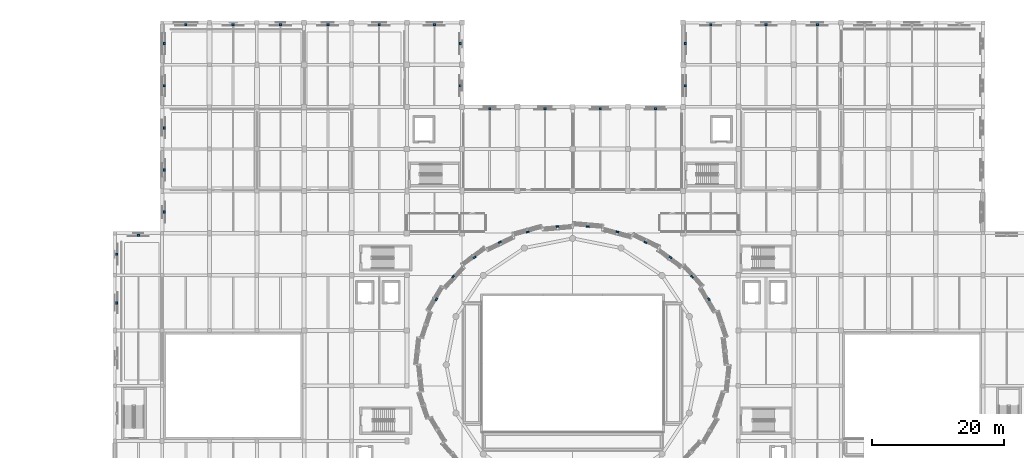
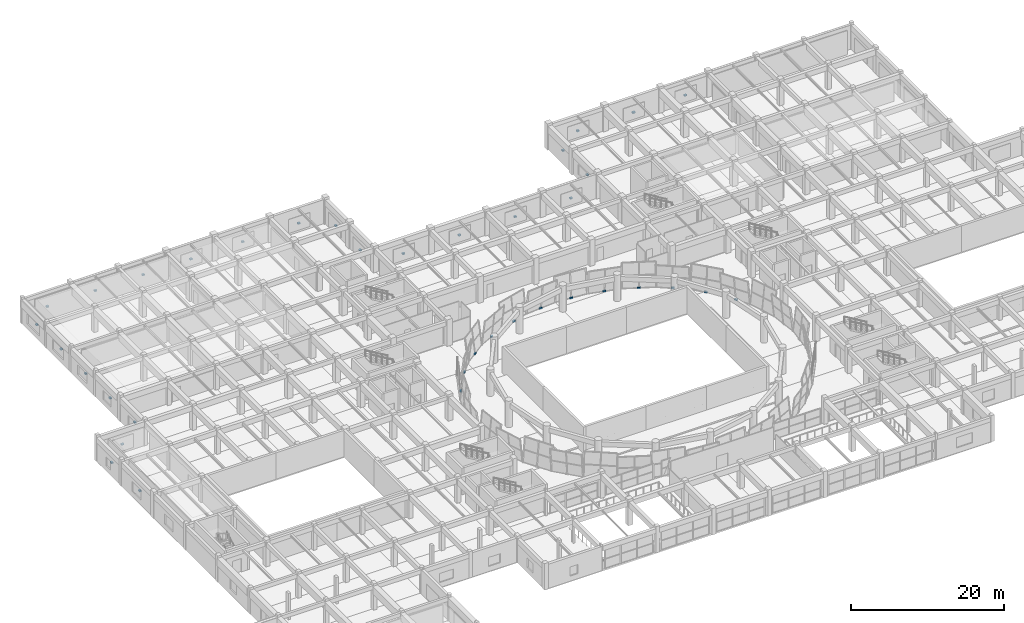
# One storey, part 58 of 71: 37 discrete accessories.
"""IFC4 building model written with IfcOpenShell, lengths in metres."""

import ifcopenshell
import ifcopenshell.guid

model = None  # the IFC model being written
_history = None  # IfcOwnerHistory: only IFC2X3 demands one
_inside = {}  # id of a spatial element -> (the spatial element, [elements in it])
_under = {}  # id of a project, library or spatial element -> (it, [spatial elements below it])
_declared = {}  # id of a project -> (the project, [libraries it declares])
_typed = {}  # id of a type object -> (the type object, [elements of that type])
_made_of = {}  # id of a material, layer set ... -> (it, [elements and type objects made of it])


def new_model(schema):
    """Start an empty IFC model of exactly this schema.

    Asked for "IFC4X3", IfcOpenShell would pick the latest addendum, in which some entities
    have other attributes; the version numbers below select the first issue.
    IFC2X3 requires an IfcOwnerHistory on every rooted entity: one is made here for all.
    """
    global model, _history
    if schema == "IFC4X3":
        model = ifcopenshell.file(schema_version=(4, 3, 0, 0))
    else:
        model = ifcopenshell.file(schema=schema)
    _inside.clear()
    _under.clear()
    _declared.clear()
    _typed.clear()
    _made_of.clear()
    _history = None
    if model.schema == "IFC2X3":
        org = make("IfcOrganization", Name="unknown")
        user = make(
            "IfcPersonAndOrganization",
            ThePerson=make("IfcPerson", FamilyName="unknown"),
            TheOrganization=org,
        )
        app = make(
            "IfcApplication",
            ApplicationDeveloper=org,
            Version="unknown",
            ApplicationFullName="unknown",
            ApplicationIdentifier="unknown",
        )
        _history = make(
            "IfcOwnerHistory",
            OwningUser=user,
            OwningApplication=app,
            ChangeAction="ADDED",
            CreationDate=0,
        )
    return model


def make(cls, **values):
    """One entity of the class cls with the attributes given. An attribute that is None is left unset."""
    return model.create_entity(
        cls, **{name: value for name, value in values.items() if value is not None}
    )


def rooted(cls, **values):
    """An entity with a GlobalId (a new one), such as an element, a storey or a relation."""
    return make(cls, GlobalId=ifcopenshell.guid.new(), OwnerHistory=_history, **values)


def si_unit(unit_type, name, prefix=None):
    """IfcSIUnit, for example si_unit("LENGTHUNIT", "METRE", prefix="MILLI")."""
    return make("IfcSIUnit", UnitType=unit_type, Prefix=prefix, Name=name)


def assignment(units):
    """IfcUnitAssignment: the units of a project."""
    return None if units is None else make("IfcUnitAssignment", Units=units)


def point(xyz):
    """IfcCartesianPoint."""
    return None if xyz is None else make("IfcCartesianPoint", Coordinates=xyz)


def direction(xyz):
    """IfcDirection."""
    return None if xyz is None else make("IfcDirection", DirectionRatios=xyz)


def frame(location, z_axis=None, x_axis=None):
    """IfcAxis2Placement3D, a coordinate frame: its origin and axes. An axis left out is left unset."""
    return make(
        "IfcAxis2Placement3D",
        Location=point(location),
        Axis=direction(z_axis),
        RefDirection=direction(x_axis),
    )


def frame_2d(location, x_axis=None):
    """IfcAxis2Placement2D, a coordinate frame in the plane: its origin and x axis."""
    return make(
        "IfcAxis2Placement2D", Location=point(location), RefDirection=direction(x_axis)
    )


def origin():
    """The frame at (0, 0, 0) with its axes left unset."""
    return frame((0.0, 0.0, 0.0))


def origin_2d():
    """The frame at (0, 0) in the plane with its x axis left unset."""
    return frame_2d((0.0, 0.0))


def place(relative_to, where):
    """IfcLocalPlacement: puts the frame where relative to a parent placement (None: the world)."""
    return make(
        "IfcLocalPlacement", PlacementRelTo=relative_to, RelativePlacement=where
    )


def context(
    kind, dimensions, precision=None, world=None, true_north=None, identifier=None
):
    """IfcGeometricRepresentationContext, for example the 3D "Model" context."""
    return make(
        "IfcGeometricRepresentationContext",
        ContextIdentifier=identifier,
        ContextType=kind,
        CoordinateSpaceDimension=dimensions,
        Precision=precision,
        WorldCoordinateSystem=world,
        TrueNorth=true_north,
    )


def subcontext(parent, identifier, kind, view, scale=None):
    """IfcGeometricRepresentationSubContext, for example "Body" below "Model"."""
    return make(
        "IfcGeometricRepresentationSubContext",
        ContextIdentifier=identifier,
        ContextType=kind,
        ParentContext=parent,
        TargetScale=scale,
        TargetView=view,
    )


def project(units=None, contexts=None):
    """IfcProject with its units and contexts."""
    return rooted(
        "IfcProject",
        Name="project",
        RepresentationContexts=contexts,
        UnitsInContext=assignment(units),
    )


def spatial(cls, under=None, at=None, **own):
    """A site, building, storey or space (cls), placed at a placement, below another one or the project."""
    s = rooted(cls, ObjectPlacement=at, **own)
    if under is not None:
        _under.setdefault(under.id(), (under, []))[1].append(s)
    return s


def profile(cls, at=None, kind="AREA", **sizes):
    """A parametric profile (cls). Its sizes go by their IFC names, for example OverallWidth=200.0."""
    return make(cls, ProfileType=kind, Position=at, **sizes)


def rectangle(**sizes):
    """IfcRectangleProfileDef."""
    return profile("IfcRectangleProfileDef", **sizes)


def extrude(swept, where, along, depth):
    """IfcExtrudedAreaSolid: the profile swept, set in the frame where, extruded along a direction by depth."""
    return make(
        "IfcExtrudedAreaSolid",
        SweptArea=swept,
        Position=where,
        ExtrudedDirection=direction(along),
        Depth=depth,
    )


def shape(context_of_items, identifier, shape_type, items):
    """IfcShapeRepresentation: the items that make up one representation, for example the "Body"."""
    return make(
        "IfcShapeRepresentation",
        ContextOfItems=context_of_items,
        RepresentationIdentifier=identifier,
        RepresentationType=shape_type,
        Items=items,
    )


def material(Name=None, Category=None):
    """IfcMaterial."""
    return make("IfcMaterial", Name=Name, Category=Category)


def made_of(thing, what):
    """Note that an element or type object is made of a material, layer set ...; save() writes the relation."""
    if what is not None:
        _made_of.setdefault(what.id(), (what, []))[1].append(thing)
    return thing


def type_object(cls, material=None, **own):
    """A type object (cls), such as IfcWallType, which elements share."""
    return made_of(rooted(cls, **own), material)


def element(
    cls,
    number,
    at=None,
    inside=None,
    cuts=None,
    type_object=None,
    material=None,
    context=None,
    identifier="Body",
    shape_type=None,
    held_by="IfcProductDefinitionShape",
    body=None,
    shapes=None,
    **own,
):
    """One element of the class cls, such as IfcWall. Its Tag is "e" and its number.

    at: its placement. inside: the storey or other place that contains it. cuts: it is an
    opening in that element (IfcRelVoidsElement). A single representation is given by context,
    identifier, shape_type and body (its items); several are given by shapes. held_by: the class
    of the entity that holds the representations. save() writes the other relations.
    """
    e = rooted(cls, Tag="e%d" % number, ObjectPlacement=at, **own)
    if body is not None:
        shapes = [shape(context, identifier, shape_type, body)]
    if shapes is not None:
        e.Representation = make(held_by, Representations=shapes)
    if inside is not None:
        _inside.setdefault(inside.id(), (inside, []))[1].append(e)
    if cuts is not None:
        rooted(
            "IfcRelVoidsElement", RelatingBuildingElement=cuts, RelatedOpeningElement=e
        )
    if type_object is not None:
        _typed.setdefault(type_object.id(), (type_object, []))[1].append(e)
    return made_of(e, material)


def aggregate(whole, parts):
    """IfcRelAggregates: a whole, such as a stair, and the parts it consists of."""
    return rooted("IfcRelAggregates", RelatingObject=whole, RelatedObjects=parts)


def save(model, path):
    """Write the relations noted so far, then the file.

    IfcRelAggregates (storeys below a building ...), IfcRelContainedInSpatialStructure (elements
    in a storey), IfcRelDefinesByType, IfcRelAssociatesMaterial and IfcRelDeclares: one each for
    every whole, place, type object, material and project.
    """
    for whole, parts in _under.values():
        aggregate(whole, parts)
    for where, things in _inside.values():
        rooted(
            "IfcRelContainedInSpatialStructure",
            RelatedElements=things,
            RelatingStructure=where,
        )
    for kind, things in _typed.values():
        rooted("IfcRelDefinesByType", RelatedObjects=things, RelatingType=kind)
    for what, things in _made_of.values():
        rooted("IfcRelAssociatesMaterial", RelatedObjects=things, RelatingMaterial=what)
    for by, libraries in _declared.values():
        rooted("IfcRelDeclares", RelatingContext=by, RelatedDefinitions=libraries)
    model.write(path)


model = new_model("IFC4")

# Units and contexts
model_context = context("Model", 3, precision=1e-05, world=origin(), true_north=direction((0.0, 1.0)))
body_context = subcontext(model_context, "Body", "Model", "MODEL_VIEW")
ifc_project = project(units=[si_unit("LENGTHUNIT", "METRE"), si_unit("AREAUNIT", "SQUARE_METRE"), si_unit("VOLUMEUNIT", "CUBIC_METRE"), si_unit("PLANEANGLEUNIT", "RADIAN"), si_unit("MASSUNIT", "GRAM", prefix="KILO")], contexts=[model_context])

# Site, building, storey
site_placement = place(None, origin())
site = spatial("IfcSite", under=ifc_project, at=site_placement, CompositionType="ELEMENT")
building_placement = place(site_placement, origin())
building = spatial("IfcBuilding", under=site, at=building_placement, Name="Korsvaeld Concert Hall", CompositionType="ELEMENT")
storey_placement = place(building_placement, frame((0.0, 0.0, 4.800048828125)))
storey = spatial("IfcBuildingStorey", under=building, at=storey_placement, Name="L01", CompositionType="ELEMENT", Elevation=4.800048828125)

# Discrete accessories
ifc_material_1 = material(Name="Steel S355J2", Category="steel")
discrete_accessory_type_1 = type_object("IfcDiscreteAccessoryType", Name="ACC-BRACKET-CW", PredefinedType="BRACKET", material=ifc_material_1)
for number, where, z_axis, x_axis, name in (
    (1, (104.713134765625, 73.1455078125, -0.0400390625), (0.0, 0.0, 1.0), (-0.511293086077, 0.859406411501, 0.0), "Crystal shell base anchor bracket L01 F03"),
    (2, (102.1552734375, 76.58447265625, -0.0400390625), (0.0, 0.0, 1.0), (-0.674431262084, 0.738337641411, 0.0), "Crystal shell base anchor bracket L01 F04"),
    (3, (98.899658203125, 79.5087890625, -0.0400390625), (0.0, 0.0, 1.0), (-0.804893797356, 0.593418886604, 0.0), "Crystal shell base anchor bracket L01 F05"),
    (4, (95.0712890625, 81.806640625, -0.0400390625), (0.0, 0.0, 1.0), (-0.901455117112, 0.43287258152, 0.0), "Crystal shell base anchor bracket L01 F06"),
    (5, (90.817626953125, 83.389404296875, -0.0400390625), (0.0, 0.0, 1.0), (-0.964833216741, 0.262862823299, 0.0), "Crystal shell base anchor bracket L01 F07"),
    (6, (86.302001953125, 84.1962890625, -0.0400390625), (0.0, 0.0, 1.0), (-0.996102882603, 0.088198907417, 0.0), "Crystal shell base anchor bracket L01 F08"),
    (7, (81.697998046875, 84.1962890625, -0.0400390625), (0.0, 0.0, 1.0), (-0.996102882603, -0.088198907417, 0.0), "Crystal shell base anchor bracket L01 F09"),
    (8, (77.182373046875, 83.389404296875, -0.0400390625), (0.0, 0.0, 1.0), (-0.964833216741, -0.262862823299, 0.0), "Crystal shell base anchor bracket L01 F10"),
    (9, (72.9287109375, 81.806640625, -0.0400390625), (0.0, 0.0, 1.0), (-0.901455117112, -0.43287258152, 0.0), "Crystal shell base anchor bracket L01 F11"),
    (10, (69.100341796875, 79.5087890625, -0.0400390625), (0.0, 0.0, 1.0), (-0.804893797356, -0.593418886604, 0.0), "Crystal shell base anchor bracket L01 F12"),
    (11, (65.8447265625, 76.58447265625, -0.0400390625), (0.0, 0.0, 1.0), (-0.674431262084, -0.738337641411, 0.0), "Crystal shell base anchor bracket L01 F13"),
    (12, (63.286865234375, 73.1455078125, -0.0400390625), (0.0, 0.0, 1.0), (-0.511293086077, -0.859406411501, 0.0), "Crystal shell base anchor bracket L01 F14"),
):
    element("IfcDiscreteAccessory", number, at=place(storey_placement, frame(where, z_axis=z_axis, x_axis=x_axis)), inside=storey, type_object=discrete_accessory_type_1, Name=name, PredefinedType="BRACKET", context=body_context, shape_type="SweptSolid", body=[
        extrude(rectangle(XDim=0.449951171875, YDim=0.239990234375, at=origin_2d()), origin(), (0.0, 0.0, 1.0), 0.239990234375),
    ])
ifc_material_2 = material(Name="Anodised architectural bronze bracket")
discrete_accessory_type_2 = type_object("IfcDiscreteAccessoryType", Name="ACC-BRACKET-JALI", PredefinedType="BRACKET", material=ifc_material_2)
for number, where, z_axis, x_axis, name in (
    (13, (14.695068359375, 72.60009765625, 1.39013671875), (0.0, 0.0, 1.0), (0.0, 1.0, 0.0), "Jali screen outrigger bracket L01-05"),
    (14, (14.7099609375, 80.0, 1.39013671875), (0.0, 0.0, 1.0), (0.0, 1.0, 0.0), "Jali screen outrigger bracket L01-06"),
    (15, (18.0, 82.905029296875, 1.39013671875), (0.0, 0.0, 1.0), (1.0, 0.0, 0.0), "Jali screen outrigger bracket L01-07"),
    (16, (21.909912109375, 86.39990234375, 1.39013671875), (0.0, 0.0, 1.0), (0.0, 1.0, 0.0), "Jali screen outrigger bracket L01-08"),
    (17, (21.89501953125, 92.800048828125, 1.39013671875), (0.0, 0.0, 1.0), (0.0, 1.0, 0.0), "Jali screen outrigger bracket L01-09"),
    (18, (21.909912109375, 99.199951171875, 1.39013671875), (0.0, 0.0, 1.0), (0.0, 1.0, 0.0), "Jali screen outrigger bracket L01-10"),
    (19, (21.89501953125, 105.60009765625, 1.39013671875), (0.0, 0.0, 1.0), (0.0, 1.0, 0.0), "Jali screen outrigger bracket L01-11"),
    (20, (21.909912109375, 112.0, 1.39013671875), (0.0, 0.0, 1.0), (0.0, 1.0, 0.0), "Jali screen outrigger bracket L01-12"),
    (21, (25.199951171875, 114.905029296875, 1.39013671875), (0.0, 0.0, 1.0), (1.0, 0.0, 0.0), "Jali screen outrigger bracket L01-13"),
    (22, (32.39990234375, 114.889892578125, 1.39013671875), (0.0, 0.0, 1.0), (1.0, 0.0, 0.0), "Jali screen outrigger bracket L01-14"),
    (23, (39.60009765625, 114.905029296875, 1.39013671875), (0.0, 0.0, 1.0), (1.0, 0.0, 0.0), "Jali screen outrigger bracket L01-15"),
    (24, (46.800048828125, 114.889892578125, 1.39013671875), (0.0, 0.0, 1.0), (1.0, 0.0, 0.0), "Jali screen outrigger bracket L01-16"),
    (25, (54.60009765625, 114.905029296875, 1.39013671875), (0.0, 0.0, 1.0), (1.0, 0.0, 0.0), "Jali screen outrigger bracket L01-17"),
    (26, (63.0, 114.889892578125, 1.39013671875), (0.0, 0.0, 1.0), (1.0, 0.0, 0.0), "Jali screen outrigger bracket L01-18"),
    (27, (66.905029296875, 112.0, 1.39013671875), (0.0, 0.0, 1.0), (0.0, -1.0, 0.0), "Jali screen outrigger bracket L01-19"),
    (28, (66.889892578125, 105.60009765625, 1.39013671875), (0.0, 0.0, 1.0), (0.0, -1.0, 0.0), "Jali screen outrigger bracket L01-20"),
    (29, (71.39990234375, 102.10498046875, 1.39013671875), (0.0, 0.0, 1.0), (1.0, 0.0, 0.0), "Jali screen outrigger bracket L01-21"),
    (30, (79.800048828125, 102.090087890625, 1.39013671875), (0.0, 0.0, 1.0), (1.0, 0.0, 0.0), "Jali screen outrigger bracket L01-22"),
    (31, (88.199951171875, 102.10498046875, 1.39013671875), (0.0, 0.0, 1.0), (1.0, 0.0, 0.0), "Jali screen outrigger bracket L01-23"),
    (32, (96.60009765625, 102.090087890625, 1.39013671875), (0.0, 0.0, 1.0), (1.0, 0.0, 0.0), "Jali screen outrigger bracket L01-24"),
    (33, (101.094970703125, 105.60009765625, 1.39013671875), (0.0, 0.0, 1.0), (0.0, 1.0, 0.0), "Jali screen outrigger bracket L01-25"),
    (34, (101.110107421875, 112.0, 1.39013671875), (0.0, 0.0, 1.0), (0.0, 1.0, 0.0), "Jali screen outrigger bracket L01-26"),
    (35, (105.0, 114.905029296875, 1.39013671875), (0.0, 0.0, 1.0), (1.0, 0.0, 0.0), "Jali screen outrigger bracket L01-27"),
    (36, (113.39990234375, 114.889892578125, 1.39013671875), (0.0, 0.0, 1.0), (1.0, 0.0, 0.0), "Jali screen outrigger bracket L01-28"),
    (37, (121.199951171875, 114.905029296875, 1.39013671875), (0.0, 0.0, 1.0), (1.0, 0.0, 0.0), "Jali screen outrigger bracket L01-29"),
):
    element("IfcDiscreteAccessory", number, at=place(storey_placement, frame(where, z_axis=z_axis, x_axis=x_axis)), inside=storey, type_object=discrete_accessory_type_2, Name=name, PredefinedType="BRACKET", context=body_context, shape_type="SweptSolid", body=[
        extrude(rectangle(XDim=0.360107421875, YDim=0.300048828125, at=origin_2d()), origin(), (0.0, 0.0, 1.0), 0.219970703125),
    ])

save(model, "model.ifc")
